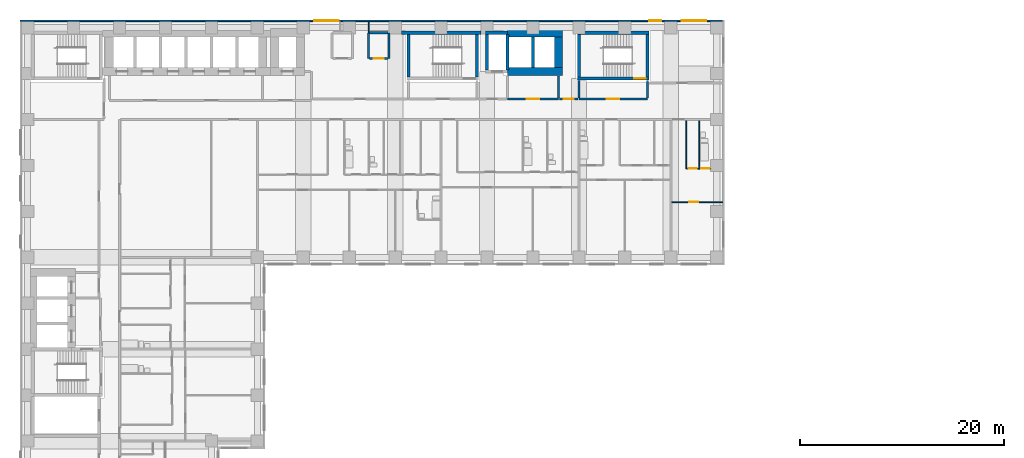
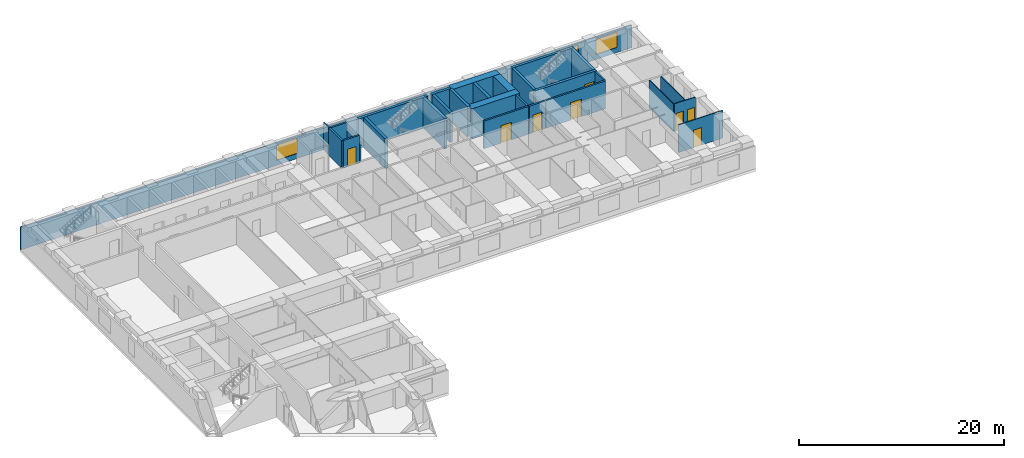
# One storey, part 8 of 12: 30 walls, 8 doors, 3 windows, 11 openings.
"""IFC4 building model written with IfcOpenShell, lengths in metres."""

from ifc_helpers import new_model, si_unit, direction, frame, frame_2d, origin, place, context, subcontext, project, spatial, rectangle, extrude, material, layer, layer_set, type_object, element, fill, save


model = new_model("IFC4")

# Units and contexts
model_context = context("Model", 3, precision=1e-05, world=origin(), true_north=direction((0.0, 1.0)))
body_context = subcontext(model_context, "Body", "Model", "MODEL_VIEW")
ifc_project = project(units=[si_unit("LENGTHUNIT", "METRE"), si_unit("AREAUNIT", "SQUARE_METRE"), si_unit("VOLUMEUNIT", "CUBIC_METRE"), si_unit("PLANEANGLEUNIT", "RADIAN"), si_unit("MASSUNIT", "GRAM", prefix="KILO")], contexts=[model_context])

# Site, building, storey
site_placement = place(None, origin())
site = spatial("IfcSite", under=ifc_project, at=site_placement, CompositionType="ELEMENT")
building_placement = place(site_placement, origin())
building = spatial("IfcBuilding", under=site, at=building_placement, Name="Firuza Court", CompositionType="ELEMENT")
storey_placement = place(building_placement, frame((0.0, 0.0, 36.199951171875)))
storey = spatial("IfcBuildingStorey", under=building, at=storey_placement, Name="L07", CompositionType="ELEMENT", Elevation=36.199951171875)

# Walls
ifc_material_1 = material(Name="Moisture-resistant gypsum board partition")
ifc_layer_1 = layer(ifc_material_1, 0.10009765625)
ifc_layer_set_1 = layer_set([ifc_layer_1], Name="Moisture-resistant gypsum board partition")
wall_type_1 = type_object("IfcWallType", Name="Bathroom partition 100", PredefinedType="PLUMBINGWALL", material=ifc_layer_set_1)
wall_1_placement = place(storey_placement, frame((65.800048828125, 44.75, 0.0), z_axis=(0.0, 0.0, 1.0), x_axis=(0.0, 1.0, 0.0)))
element("IfcWall", 1, at=wall_1_placement, inside=storey, type_object=wall_type_1, Name="Bathroom partition 100 L07", PredefinedType="PLUMBINGWALL", context=body_context, shape_type="SweptSolid", body=[
    extrude(rectangle(XDim=4.64990234375, YDim=0.10009765625, at=frame_2d((2.324951171875, 0.0))), origin(), (0.0, 0.0, 1.0), 3.300048828125),
])
ifc_material_2 = material(Name="Concrete C60/75", Category="concrete")
ifc_layer_2 = layer(ifc_material_2, 0.300048828125)
ifc_layer_set_2 = layer_set([ifc_layer_2], Name="Concrete C60/75")
wall_type_2 = type_object("IfcWallType", Name="Core wall 300 C60/75", PredefinedType="SHEAR", material=ifc_layer_set_2)
wall_2_placement = place(storey_placement, frame((36.60009765625, 58.0, -0.300048828125), z_axis=(0.0, 0.0, 1.0), x_axis=(1.0, 0.0, 0.0)))
element("IfcWall", 2, at=wall_2_placement, inside=storey, type_object=wall_type_2, Name="Core wall stair L07", PredefinedType="SHEAR", context=body_context, shape_type="SweptSolid", body=[
    extrude(rectangle(XDim=7.7998046875, YDim=0.300048828125, at=frame_2d((3.89990234375, 0.0))), origin(), (0.0, 0.0, 1.0), 3.60009765625),
])
for number, where, z_axis, x_axis, name in (
    (3, (37.300048828125, 53.64990234375, -0.300048828125), (0.0, 0.0, 1.0), (0.0, 1.0, 0.0), "Core wall stair L07"),
    (4, (44.0, 53.64990234375, -0.300048828125), (0.0, 0.0, 1.0), (0.0, 1.0, 0.0), "Core wall stair L07"),
):
    element("IfcWall", number, at=place(storey_placement, frame(where, z_axis=z_axis, x_axis=x_axis)), inside=storey, type_object=wall_type_2, Name=name, PredefinedType="SHEAR", context=body_context, shape_type="SweptSolid", body=[
        extrude(rectangle(XDim=4.2001953125, YDim=0.300048828125, at=frame_2d((2.10009765625, 0.0))), origin(), (0.0, 0.0, 1.0), 3.60009765625),
    ])
wall_3_placement = place(storey_placement, frame((44.85009765625, 58.0, -0.300048828125), z_axis=(0.0, 0.0, 1.0), x_axis=(1.0, 0.0, 0.0)))
element("IfcWall", 5, at=wall_3_placement, inside=storey, type_object=wall_type_2, Name="Core wall riser L07", PredefinedType="SHEAR", context=body_context, shape_type="SweptSolid", body=[
    extrude(rectangle(XDim=2.14990234375, YDim=0.300048828125, at=frame_2d((1.074951171875, 0.0))), origin(), (0.0, 0.0, 1.0), 3.60009765625),
])
for number, where, z_axis, x_axis, name in (
    (6, (45.0, 54.35009765625, -0.300048828125), (0.0, 0.0, 1.0), (0.0, 1.0, 0.0), "Core wall riser L07"),
    (7, (47.0, 54.35009765625, -0.300048828125), (0.0, 0.0, 1.0), (0.0, 1.0, 0.0), "Core wall lift shaft L07"),
):
    element("IfcWall", number, at=place(storey_placement, frame(where, z_axis=z_axis, x_axis=x_axis)), inside=storey, type_object=wall_type_2, Name=name, PredefinedType="SHEAR", context=body_context, shape_type="SweptSolid", body=[
        extrude(rectangle(XDim=3.5, YDim=0.300048828125, at=frame_2d((1.75, 0.0))), origin(), (0.0, 0.0, 1.0), 3.60009765625),
    ])
wall_4_placement = place(storey_placement, frame((49.5, 54.60009765625, -0.300048828125), z_axis=(0.0, 0.0, 1.0), x_axis=(0.0, 1.0, 0.0)))
element("IfcWall", 8, at=wall_4_placement, inside=storey, type_object=wall_type_2, Name="Core wall lift shaft L07", PredefinedType="SHEAR", context=body_context, shape_type="SweptSolid", body=[
    extrude(rectangle(XDim=3.0, YDim=0.300048828125, at=frame_2d((1.5, 0.0))), origin(), (0.0, 0.0, 1.0), 3.60009765625),
])

# Wall, opening, door
wall_5_placement = place(storey_placement, frame((53.85009765625, 53.5, -0.300048828125), z_axis=(0.0, 0.0, 1.0), x_axis=(1.0, 0.0, 0.0)))
wall_5 = element("IfcWall", 9, at=wall_5_placement, inside=storey, type_object=wall_type_2, Name="Core wall stair L07", PredefinedType="SHEAR", context=body_context, shape_type="SweptSolid", body=[
    extrude(rectangle(XDim=7.0, YDim=0.300048828125, at=frame_2d((3.5, 0.0))), origin(), (0.0, 0.0, 1.0), 3.60009765625),
])
opening_1_placement = place(wall_5_placement, frame((5.580078125, 0.0, 0.300048828125)))
opening_1 = element("IfcOpeningElement", 10, at=opening_1_placement, cuts=wall_5, Name="Opening D07017", PredefinedType="OPENING", context=body_context, shape_type="SweptSolid", body=[
    extrude(rectangle(XDim=1.10009765625, YDim=2.10009765625, at=frame_2d((0.550048828125, 1.050048828125))), frame((0.0, 0.162109375, 0.0), z_axis=(0.0, -1.0, 0.0), x_axis=(1.0, 0.0, 0.0)), (0.0, 0.0, 1.0), 0.323974609375),
])
ifc_material_3 = material(Name="Timber door leaf in hardwood frame", Category="wood")
door_type_1 = type_object("IfcDoorType", Name="Stair door 1100", OperationType="SINGLE_SWING_LEFT", PredefinedType="DOOR", material=ifc_material_3)
door_1_placement = place(opening_1_placement, origin())
door_1 = element("IfcDoor", 11, at=door_1_placement, inside=storey, type_object=door_type_1, Name="Stair door S4", OperationType="SINGLE_SWING_RIGHT", OverallHeight=2.10009765625, OverallWidth=1.10009765625, PredefinedType="DOOR", context=body_context, shape_type="SweptSolid", body=[
    extrude(rectangle(XDim=1.10009765625, YDim=2.10009765625, at=frame_2d((0.550048828125, 1.050048828125))), frame((0.0, 0.02490234375, 0.0), z_axis=(0.0, -1.0, 0.0), x_axis=(1.0, 0.0, 0.0)), (0.0, 0.0, 1.0), 0.050048828125),
])
fill(opening_1, door_1)

# Walls
wall_6_placement = place(storey_placement, frame((53.85009765625, 58.0, -0.300048828125), z_axis=(0.0, 0.0, 1.0), x_axis=(1.0, 0.0, 0.0)))
element("IfcWall", 12, at=wall_6_placement, inside=storey, type_object=wall_type_2, Name="Core wall stair L07", PredefinedType="SHEAR", context=body_context, shape_type="SweptSolid", body=[
    extrude(rectangle(XDim=7.0, YDim=0.300048828125, at=frame_2d((3.5, 0.0))), origin(), (0.0, 0.0, 1.0), 3.60009765625),
])
for number, where, z_axis, x_axis, name in (
    (13, (54.0, 53.64990234375, -0.300048828125), (0.0, 0.0, 1.0), (0.0, 1.0, 0.0), "Core wall stair L07"),
    (14, (60.699951171875, 53.64990234375, -0.300048828125), (0.0, 0.0, 1.0), (0.0, 1.0, 0.0), "Core wall stair L07"),
):
    element("IfcWall", number, at=place(storey_placement, frame(where, z_axis=z_axis, x_axis=x_axis)), inside=storey, type_object=wall_type_2, Name=name, PredefinedType="SHEAR", context=body_context, shape_type="SweptSolid", body=[
        extrude(rectangle(XDim=4.2001953125, YDim=0.300048828125, at=frame_2d((2.10009765625, 0.0))), origin(), (0.0, 0.0, 1.0), 3.60009765625),
    ])
ifc_layer_3 = layer(ifc_material_2, 0.800048828125)
ifc_layer_set_3 = layer_set([ifc_layer_3], Name="Concrete C60/75")
wall_type_3 = type_object("IfcWallType", Name="Core wall 800 C60/75", PredefinedType="SHEAR", material=ifc_layer_set_3)
for number, where, z_axis, x_axis, name in (
    (15, (47.0, 54.199951171875, -0.300048828125), (0.0, 0.0, 1.0), (1.0, 0.0, 0.0), "Core wall lift shaft L07"),
    (16, (47.0, 58.0, -0.300048828125), (0.0, 0.0, 1.0), (1.0, 0.0, 0.0), "Core wall lift shaft L07"),
):
    element("IfcWall", number, at=place(storey_placement, frame(where, z_axis=z_axis, x_axis=x_axis)), inside=storey, type_object=wall_type_3, Name=name, PredefinedType="SHEAR", context=body_context, shape_type="SweptSolid", body=[
        extrude(rectangle(XDim=5.39990234375, YDim=0.800048828125, at=frame_2d((2.699951171875, 0.0))), origin(), (0.0, 0.0, 1.0), 3.60009765625),
    ])
wall_7_placement = place(storey_placement, frame((52.0, 54.60009765625, -0.300048828125), z_axis=(0.0, 0.0, 1.0), x_axis=(0.0, 1.0, 0.0)))
element("IfcWall", 17, at=wall_7_placement, inside=storey, type_object=wall_type_3, Name="Core wall lift shaft L07", PredefinedType="SHEAR", context=body_context, shape_type="SweptSolid", body=[
    extrude(rectangle(XDim=3.0, YDim=0.800048828125, at=frame_2d((1.5, 0.0))), origin(), (0.0, 0.0, 1.0), 3.60009765625),
])

# Wall, opening, door
ifc_material_4 = material(Name="Blockwork, plastered both sides", Category="masonry")
ifc_layer_4 = layer(ifc_material_4, 0.199951171875)
ifc_layer_set_4 = layer_set([ifc_layer_4], Name="Blockwork, plastered both sides")
wall_type_4 = type_object("IfcWallType", Name="Corridor wall 200", PredefinedType="PARTITIONING", material=ifc_layer_set_4)
wall_8_placement = place(storey_placement, frame((52.10009765625, 51.5, 0.0), z_axis=(0.0, 0.0, 1.0), x_axis=(1.0, 0.0, 0.0)))
wall_8 = element("IfcWall", 18, at=wall_8_placement, inside=storey, type_object=wall_type_4, Name="Corridor wall 200 L07", PredefinedType="PARTITIONING", context=body_context, shape_type="SweptSolid", body=[
    extrude(rectangle(XDim=1.7998046875, YDim=0.199951171875, at=frame_2d((0.89990234375, 0.0))), origin(), (0.0, 0.0, 1.0), 3.300048828125),
])
opening_2_placement = place(wall_8_placement, frame((0.39990234375, 0.0, 0.0)))
opening_2 = element("IfcOpeningElement", 19, at=opening_2_placement, cuts=wall_8, Name="Opening D07073", PredefinedType="OPENING", context=body_context, shape_type="SweptSolid", body=[
    extrude(rectangle(XDim=1.0, YDim=2.10009765625, at=frame_2d((0.5, 1.050048828125))), frame((0.0, 0.11181640625, 0.0), z_axis=(0.0, -1.0, 0.0), x_axis=(1.0, 0.0, 0.0)), (0.0, 0.0, 1.0), 0.223876953125),
])
ifc_material_5 = material(Name="Timber door leaf in hardwood frame", Category="wood")
door_type_2 = type_object("IfcDoorType", Name="Store door 1000", OperationType="SINGLE_SWING_LEFT", PredefinedType="DOOR", material=ifc_material_5)
door_2_placement = place(opening_2_placement, origin())
door_2 = element("IfcDoor", 20, at=door_2_placement, inside=storey, type_object=door_type_2, Name="Parcel room door", OperationType="SINGLE_SWING_LEFT", OverallHeight=2.10009765625, OverallWidth=1.0, PredefinedType="DOOR", context=body_context, shape_type="SweptSolid", body=[
    extrude(rectangle(XDim=1.0, YDim=2.10009765625, at=frame_2d((0.5, 1.050048828125))), frame((0.0, 0.02490234375, 0.0), z_axis=(0.0, -1.0, 0.0), x_axis=(1.0, 0.0, 0.0)), (0.0, 0.0, 1.0), 0.050048828125),
])
fill(opening_2, door_2)

ifc_material_6 = material(Name="Timber stud partition, plasterboard both sides", Category="wood")
ifc_layer_5 = layer(ifc_material_6, 0.10009765625)
ifc_layer_set_5 = layer_set([ifc_layer_5], Name="Timber stud partition, plasterboard both sides")
wall_type_5 = type_object("IfcWallType", Name="Partition wall 100", PredefinedType="PARTITIONING", material=ifc_layer_set_5)
wall_9_placement = place(storey_placement, frame((63.10009765625, 41.39990234375, 0.0), z_axis=(0.0, 0.0, 1.0), x_axis=(1.0, 0.0, 0.0)))
wall_9 = element("IfcWall", 21, at=wall_9_placement, inside=storey, type_object=wall_type_5, Name="Partition wall 100 L07", PredefinedType="PARTITIONING", context=body_context, shape_type="SweptSolid", body=[
    extrude(rectangle(XDim=5.0, YDim=0.10009765625, at=frame_2d((2.5, 0.0))), origin(), (0.0, 0.0, 1.0), 3.300048828125),
])
opening_3_placement = place(wall_9_placement, frame((1.699951171875, 0.0, 0.0)))
opening_3 = element("IfcOpeningElement", 22, at=opening_3_placement, cuts=wall_9, Name="Opening D07043", PredefinedType="OPENING", context=body_context, shape_type="SweptSolid", body=[
    extrude(rectangle(XDim=0.89990234375, YDim=2.10009765625, at=frame_2d((0.449951171875, 1.050048828125))), frame((0.0, 0.06201171875, 0.0), z_axis=(0.0, -1.0, 0.0), x_axis=(1.0, 0.0, 0.0)), (0.0, 0.0, 1.0), 0.1240234375),
])
ifc_material_7 = material(Name="Timber door leaf in hardwood frame", Category="wood")
door_type_3 = type_object("IfcDoorType", Name="Room door 900", OperationType="SINGLE_SWING_LEFT", PredefinedType="DOOR", material=ifc_material_7)
door_3_placement = place(opening_3_placement, frame((0.89990234375, 0.0, 0.0), z_axis=(0.0, 0.0, 1.0), x_axis=(-1.0, 0.0, 0.0)))
door_3 = element("IfcDoor", 23, at=door_3_placement, inside=storey, type_object=door_type_3, Name="Studio room door", OperationType="SINGLE_SWING_RIGHT", OverallHeight=2.10009765625, OverallWidth=0.89990234375, PredefinedType="DOOR", context=body_context, shape_type="SweptSolid", body=[
    extrude(rectangle(XDim=0.89990234375, YDim=2.10009765625, at=frame_2d((0.449951171875, 1.050048828125))), frame((0.0, 0.02490234375, 0.0), z_axis=(0.0, -1.0, 0.0), x_axis=(1.0, 0.0, 0.0)), (0.0, 0.0, 1.0), 0.050048828125),
])
fill(opening_3, door_3)

# Wall
wall_10_placement = place(storey_placement, frame((64.5, 44.699951171875, 0.0), z_axis=(0.0, 0.0, 1.0), x_axis=(0.0, 1.0, 0.0)))
element("IfcWall", 24, at=wall_10_placement, inside=storey, type_object=wall_type_5, Name="Partition wall 100 L07", PredefinedType="PARTITIONING", context=body_context, shape_type="SweptSolid", body=[
    extrude(rectangle(XDim=4.699951171875, YDim=0.10009765625, at=frame_2d((2.35009765625, 0.0))), origin(), (0.0, 0.0, 1.0), 3.300048828125),
])

# Wall, openings, doors
wall_11_placement = place(storey_placement, frame((64.550048828125, 44.699951171875, 0.0), z_axis=(0.0, 0.0, 1.0), x_axis=(1.0, 0.0, 0.0)))
wall_11 = element("IfcWall", 25, at=wall_11_placement, inside=storey, type_object=wall_type_5, Name="Partition wall 100 L07", PredefinedType="PARTITIONING", context=body_context, shape_type="SweptSolid", body=[
    extrude(rectangle(XDim=2.349853515625, YDim=0.10009765625, at=frame_2d((1.1748046875, 0.0))), origin(), (0.0, 0.0, 1.0), 3.300048828125),
])
opening_4_placement = place(wall_11_placement, frame((1.449951171875, 0.0, 0.0)))
opening_4 = element("IfcOpeningElement", 26, at=opening_4_placement, cuts=wall_11, Name="Opening D07061", PredefinedType="OPENING", context=body_context, shape_type="SweptSolid", body=[
    extrude(rectangle(XDim=0.800048828125, YDim=2.10009765625, at=frame_2d((0.39990234375, 1.050048828125))), frame((0.0, 0.06201171875, 0.0), z_axis=(0.0, -1.0, 0.0), x_axis=(1.0, 0.0, 0.0)), (0.0, 0.0, 1.0), 0.1240234375),
])
opening_5_placement = place(wall_11_placement, frame((0.199951171875, 0.0, 0.0)))
opening_5 = element("IfcOpeningElement", 27, at=opening_5_placement, cuts=wall_11, Name="Opening D07062", PredefinedType="OPENING", context=body_context, shape_type="SweptSolid", body=[
    extrude(rectangle(XDim=0.800048828125, YDim=2.10009765625, at=frame_2d((0.39990234375, 1.050048828125))), frame((0.0, 0.06201171875, 0.0), z_axis=(0.0, -1.0, 0.0), x_axis=(1.0, 0.0, 0.0)), (0.0, 0.0, 1.0), 0.1240234375),
])
ifc_material_8 = material(Name="Timber door leaf in hardwood frame", Category="wood")
door_type_4 = type_object("IfcDoorType", Name="Bathroom door 800", OperationType="SINGLE_SWING_LEFT", PredefinedType="DOOR", material=ifc_material_8)
door_4_placement = place(opening_4_placement, origin())
door_4 = element("IfcDoor", 28, at=door_4_placement, inside=storey, type_object=door_type_4, Name="Bathroom door", OperationType="SINGLE_SWING_RIGHT", OverallHeight=2.10009765625, OverallWidth=0.800048828125, PredefinedType="DOOR", context=body_context, shape_type="SweptSolid", body=[
    extrude(rectangle(XDim=0.800048828125, YDim=2.10009765625, at=frame_2d((0.39990234375, 1.050048828125))), frame((0.0, 0.02490234375, 0.0), z_axis=(0.0, -1.0, 0.0), x_axis=(1.0, 0.0, 0.0)), (0.0, 0.0, 1.0), 0.050048828125),
])
fill(opening_4, door_4)
ifc_material_9 = material(Name="Timber door leaf in hardwood frame", Category="wood")
door_type_5 = type_object("IfcDoorType", Name="Room door 800", OperationType="SINGLE_SWING_LEFT", PredefinedType="DOOR", material=ifc_material_9)
door_5_placement = place(opening_5_placement, origin())
door_5 = element("IfcDoor", 29, at=door_5_placement, inside=storey, type_object=door_type_5, Name="Kitchen door", OperationType="SINGLE_SWING_LEFT", OverallHeight=2.10009765625, OverallWidth=0.800048828125, PredefinedType="DOOR", context=body_context, shape_type="SweptSolid", body=[
    extrude(rectangle(XDim=0.800048828125, YDim=2.10009765625, at=frame_2d((0.39990234375, 1.050048828125))), frame((0.0, 0.02490234375, 0.0), z_axis=(0.0, -1.0, 0.0), x_axis=(1.0, 0.0, 0.0)), (0.0, 0.0, 1.0), 0.050048828125),
])
fill(opening_5, door_5)

# Walls
wall_12_placement = place(storey_placement, frame((33.39990234375, 58.0, 0.0), z_axis=(0.0, 0.0, 1.0), x_axis=(0.0, 1.0, 0.0)))
element("IfcWall", 30, at=wall_12_placement, inside=storey, type_object=wall_type_5, Name="Partition wall 100 L07", PredefinedType="PARTITIONING", context=body_context, shape_type="SweptSolid", body=[
    extrude(rectangle(XDim=1.10009765625, YDim=0.10009765625, at=frame_2d((0.550048828125, 0.0))), origin(), (0.0, 0.0, 1.0), 3.300048828125),
])
ifc_material_10 = material(Name="Blockwork, fire-rated", Category="masonry")
ifc_layer_6 = layer(ifc_material_10, 0.199951171875)
ifc_layer_set_6 = layer_set([ifc_layer_6], Name="Blockwork, fire-rated")
wall_type_6 = type_object("IfcWallType", Name="Plant room wall 200", PredefinedType="PARTITIONING", material=ifc_layer_set_6)
wall_13_placement = place(storey_placement, frame((33.39990234375, 55.5, 0.0), z_axis=(0.0, 0.0, 1.0), x_axis=(0.0, 1.0, 0.0)))
element("IfcWall", 31, at=wall_13_placement, inside=storey, type_object=wall_type_6, Name="Plant room wall 200 L07", PredefinedType="PARTITIONING", context=body_context, shape_type="SweptSolid", body=[
    extrude(rectangle(XDim=2.5, YDim=0.199951171875, at=frame_2d((1.25, 0.0))), origin(), (0.0, 0.0, 1.0), 3.300048828125),
])

# Wall, opening, door
wall_14_placement = place(storey_placement, frame((33.5, 55.5, 0.0), z_axis=(0.0, 0.0, 1.0), x_axis=(1.0, 0.0, 0.0)))
wall_14 = element("IfcWall", 32, at=wall_14_placement, inside=storey, type_object=wall_type_6, Name="Plant room wall 200 L07", PredefinedType="PARTITIONING", context=body_context, shape_type="SweptSolid", body=[
    extrude(rectangle(XDim=1.800048828125, YDim=0.199951171875, at=frame_2d((0.89990234375, 0.0))), origin(), (0.0, 0.0, 1.0), 3.300048828125),
])
opening_6_placement = place(wall_14_placement, frame((0.39990234375, 0.0, 0.0)))
opening_6 = element("IfcOpeningElement", 33, at=opening_6_placement, cuts=wall_14, Name="Opening D07076", PredefinedType="OPENING", context=body_context, shape_type="SweptSolid", body=[
    extrude(rectangle(XDim=1.0, YDim=2.10009765625, at=frame_2d((0.5, 1.050048828125))), frame((0.0, 0.11181640625, 0.0), z_axis=(0.0, -1.0, 0.0), x_axis=(1.0, 0.0, 0.0)), (0.0, 0.0, 1.0), 0.223876953125),
])
ifc_material_11 = material(Name="Timber door leaf in hardwood frame", Category="wood")
door_type_6 = type_object("IfcDoorType", Name="Riser door 1000", OperationType="SINGLE_SWING_LEFT", PredefinedType="DOOR", material=ifc_material_11)
door_6_placement = place(opening_6_placement, origin())
door_6 = element("IfcDoor", 34, at=door_6_placement, inside=storey, type_object=door_type_6, Name="Duct riser door", OperationType="SINGLE_SWING_LEFT", OverallHeight=2.10009765625, OverallWidth=1.0, PredefinedType="DOOR", context=body_context, shape_type="SweptSolid", body=[
    extrude(rectangle(XDim=1.0, YDim=2.10009765625, at=frame_2d((0.5, 1.050048828125))), frame((0.0, 0.02490234375, 0.0), z_axis=(0.0, -1.0, 0.0), x_axis=(1.0, 0.0, 0.0)), (0.0, 0.0, 1.0), 0.050048828125),
])
fill(opening_6, door_6)

# Walls
wall_15_placement = place(storey_placement, frame((35.39990234375, 55.5, 0.0), z_axis=(0.0, 0.0, 1.0), x_axis=(0.0, 1.0, 0.0)))
element("IfcWall", 35, at=wall_15_placement, inside=storey, type_object=wall_type_6, Name="Plant room wall 200 L07", PredefinedType="PARTITIONING", context=body_context, shape_type="SweptSolid", body=[
    extrude(rectangle(XDim=2.5, YDim=0.199951171875, at=frame_2d((1.25, 0.0))), origin(), (0.0, 0.0, 1.0), 2.400146484375),
])
wall_16_placement = place(storey_placement, frame((33.5, 58.0, 0.0), z_axis=(0.0, 0.0, 1.0), x_axis=(1.0, 0.0, 0.0)))
element("IfcWall", 36, at=wall_16_placement, inside=storey, type_object=wall_type_6, Name="Plant room wall 200 L07", PredefinedType="PARTITIONING", context=body_context, shape_type="SweptSolid", body=[
    extrude(rectangle(XDim=1.800048828125, YDim=0.199951171875, at=frame_2d((0.89990234375, 0.0))), origin(), (0.0, 0.0, 1.0), 3.300048828125),
])

# Wall, openings, windows
ifc_material_12 = material(Name="Ceramic tile", Category="ceramic")
ifc_layer_7 = layer(ifc_material_12, 0.02001953125)
ifc_material_13 = material(Name="Mineral wool insulation", Category="insulation")
ifc_layer_8 = layer(ifc_material_13, 0.050048828125)
ifc_material_14 = material(Name="Concrete C40/50 precast", Category="concrete")
ifc_layer_9 = layer(ifc_material_14, 0.080078125)
ifc_layer_set_7 = layer_set([ifc_layer_7, ifc_layer_8, ifc_layer_9], Name="Concrete C40/50 precast")
wall_type_7 = type_object("IfcWallType", Name="Precast cladding wall with turquoise TILE PANEL face 150", PredefinedType="STANDARD", material=ifc_layer_set_7)
wall_17_placement = place(storey_placement, frame((68.10009765625, 59.175048828125, 0.0), z_axis=(0.0, 0.0, 1.0), x_axis=(-1.0, 0.0, 0.0)))
wall_17 = element("IfcWall", 37, at=wall_17_placement, inside=storey, type_object=wall_type_7, Name="Facade wall L07 N", PredefinedType="STANDARD", context=body_context, shape_type="SweptSolid", body=[
    extrude(rectangle(XDim=68.85009765625, YDim=0.14990234375, at=frame_2d((34.425048828125, 0.0))), origin(), (0.0, 0.0, 1.0), 2.699951171875),
])
opening_7_placement = place(wall_17_placement, frame((1.64990234375, 0.0, 0.60009765625)))
opening_7 = element("IfcOpeningElement", 38, at=opening_7_placement, cuts=wall_17, Name="Opening W1", PredefinedType="OPENING", context=body_context, shape_type="SweptSolid", body=[
    extrude(rectangle(XDim=2.39990234375, YDim=1.800048828125, at=frame_2d((1.199951171875, 0.89990234375))), frame((0.0, 0.0869140625, 0.0), z_axis=(0.0, -1.0, 0.0), x_axis=(1.0, 0.0, 0.0)), (0.0, 0.0, 1.0), 0.173828125),
])
opening_8_placement = place(wall_17_placement, frame((6.023193359375, 0.0, 0.60009765625)))
opening_8 = element("IfcOpeningElement", 39, at=opening_8_placement, cuts=wall_17, Name="Opening W8", PredefinedType="OPENING", context=body_context, shape_type="SweptSolid", body=[
    extrude(rectangle(XDim=1.199951171875, YDim=1.800048828125, at=frame_2d((0.60009765625, 0.89990234375))), frame((0.0, 0.0869140625, 0.0), z_axis=(0.0, -1.0, 0.0), x_axis=(1.0, 0.0, 0.0)), (0.0, 0.0, 1.0), 0.173828125),
])
opening_9_placement = place(wall_17_placement, frame((37.64990234375, 0.0, 0.60009765625)))
opening_9 = element("IfcOpeningElement", 40, at=opening_9_placement, cuts=wall_17, Name="Opening W1", PredefinedType="OPENING", context=body_context, shape_type="SweptSolid", body=[
    extrude(rectangle(XDim=2.39990234375, YDim=1.800048828125, at=frame_2d((1.199951171875, 0.89990234375))), frame((0.0, 0.0869140625, 0.0), z_axis=(0.0, -1.0, 0.0), x_axis=(1.0, 0.0, 0.0)), (0.0, 0.0, 1.0), 0.173828125),
])
ifc_material_15 = material(Name="Aluminium frame, triple clear glazing", Category="aluminium")
window_type_1 = type_object("IfcWindowType", Name="Window W1 2400 x 1800", PartitioningType="SINGLE_PANEL", PredefinedType="WINDOW", material=ifc_material_15)
window_1_placement = place(opening_7_placement, origin())
window_1 = element("IfcWindow", 41, at=window_1_placement, inside=storey, type_object=window_type_1, Name="Window L07", OverallHeight=1.800048828125, OverallWidth=2.39990234375, PartitioningType="SINGLE_PANEL", PredefinedType="WINDOW", context=body_context, shape_type="SweptSolid", body=[
    extrude(rectangle(XDim=2.39990234375, YDim=1.800048828125, at=frame_2d((1.199951171875, 0.89990234375))), frame((0.0, 0.030029296875, 0.0), z_axis=(0.0, -1.0, 0.0), x_axis=(1.0, 0.0, 0.0)), (0.0, 0.0, 1.0), 0.06005859375),
])
fill(opening_7, window_1)
window_2_placement = place(opening_9_placement, origin())
window_2 = element("IfcWindow", 42, at=window_2_placement, inside=storey, type_object=window_type_1, Name="Window L07", OverallHeight=1.800048828125, OverallWidth=2.39990234375, PartitioningType="SINGLE_PANEL", PredefinedType="WINDOW", context=body_context, shape_type="SweptSolid", body=[
    extrude(rectangle(XDim=2.39990234375, YDim=1.800048828125, at=frame_2d((1.199951171875, 0.89990234375))), frame((0.0, 0.030029296875, 0.0), z_axis=(0.0, -1.0, 0.0), x_axis=(1.0, 0.0, 0.0)), (0.0, 0.0, 1.0), 0.06005859375),
])
fill(opening_9, window_2)
ifc_material_16 = material(Name="Aluminium frame, triple clear glazing", Category="aluminium")
window_type_2 = type_object("IfcWindowType", Name="Window W8 1200 x 1800", PartitioningType="SINGLE_PANEL", PredefinedType="WINDOW", material=ifc_material_16)
window_3_placement = place(opening_8_placement, origin())
window_3 = element("IfcWindow", 43, at=window_3_placement, inside=storey, type_object=window_type_2, Name="Window L07", OverallHeight=1.800048828125, OverallWidth=1.199951171875, PartitioningType="SINGLE_PANEL", PredefinedType="WINDOW", context=body_context, shape_type="SweptSolid", body=[
    extrude(rectangle(XDim=1.199951171875, YDim=1.800048828125, at=frame_2d((0.60009765625, 0.89990234375))), frame((0.0, 0.030029296875, 0.0), z_axis=(0.0, -1.0, 0.0), x_axis=(1.0, 0.0, 0.0)), (0.0, 0.0, 1.0), 0.06005859375),
])
fill(opening_8, window_3)

# Wall, opening, door
ifc_layer_10 = layer(ifc_material_10, 0.199951171875)
ifc_layer_set_8 = layer_set([ifc_layer_10], Name="Blockwork, fire-rated")
wall_type_8 = type_object("IfcWallType", Name="Shaft wall 200", PredefinedType="PARTITIONING", material=ifc_layer_set_8)
wall_18_placement = place(storey_placement, frame((47.0, 51.5, 0.0), z_axis=(0.0, 0.0, 1.0), x_axis=(1.0, 0.0, 0.0)))
wall_18 = element("IfcWall", 44, at=wall_18_placement, inside=storey, type_object=wall_type_8, Name="Shaft wall 200 L07", PredefinedType="PARTITIONING", context=body_context, shape_type="SweptSolid", body=[
    extrude(rectangle(XDim=5.0, YDim=0.199951171875, at=frame_2d((2.5, 0.0))), origin(), (0.0, 0.0, 1.0), 3.300048828125),
])
opening_10_placement = place(wall_18_placement, frame((1.89990234375, 0.0, 0.0)))
opening_10 = element("IfcOpeningElement", 45, at=opening_10_placement, cuts=wall_18, Name="Opening D07009", PredefinedType="OPENING", context=body_context, shape_type="SweptSolid", body=[
    extrude(rectangle(XDim=1.199951171875, YDim=2.10009765625, at=frame_2d((0.60009765625, 1.050048828125))), frame((0.0, 0.11181640625, 0.0), z_axis=(0.0, -1.0, 0.0), x_axis=(1.0, 0.0, 0.0)), (0.0, 0.0, 1.0), 0.223876953125),
])
ifc_material_17 = material(Name="Timber door leaf in hardwood frame", Category="wood")
door_type_7 = type_object("IfcDoorType", Name="Lobby door 1200", OperationType="SINGLE_SWING_LEFT", PredefinedType="DOOR", material=ifc_material_17)
door_7_placement = place(opening_10_placement, origin())
door_7 = element("IfcDoor", 46, at=door_7_placement, inside=storey, type_object=door_type_7, Name="Lobby door", OperationType="SINGLE_SWING_LEFT", OverallHeight=2.10009765625, OverallWidth=1.199951171875, PredefinedType="DOOR", context=body_context, shape_type="SweptSolid", body=[
    extrude(rectangle(XDim=1.199951171875, YDim=2.10009765625, at=frame_2d((0.60009765625, 1.050048828125))), frame((0.0, 0.02490234375, 0.0), z_axis=(0.0, -1.0, 0.0), x_axis=(1.0, 0.0, 0.0)), (0.0, 0.0, 1.0), 0.050048828125),
])
fill(opening_10, door_7)

# Wall
wall_19_placement = place(storey_placement, frame((52.0, 51.60009765625, 0.0), z_axis=(0.0, 0.0, 1.0), x_axis=(0.0, 1.0, 0.0)))
element("IfcWall", 47, at=wall_19_placement, inside=storey, type_object=wall_type_8, Name="Shaft wall 200 L07", PredefinedType="PARTITIONING", context=body_context, shape_type="SweptSolid", body=[
    extrude(rectangle(XDim=2.179931640625, YDim=0.199951171875, at=frame_2d((1.08984375, 0.0))), origin(), (0.0, 0.0, 1.0), 3.300048828125),
])

# Wall, opening, door
wall_20_placement = place(storey_placement, frame((54.0, 51.5, 0.0), z_axis=(0.0, 0.0, 1.0), x_axis=(1.0, 0.0, 0.0)))
wall_20 = element("IfcWall", 48, at=wall_20_placement, inside=storey, type_object=wall_type_8, Name="Shaft wall 200 L07", PredefinedType="PARTITIONING", context=body_context, shape_type="SweptSolid", body=[
    extrude(rectangle(XDim=6.699951171875, YDim=0.199951171875, at=frame_2d((3.35009765625, 0.0))), origin(), (0.0, 0.0, 1.0), 3.300048828125),
])
opening_11_placement = place(wall_20_placement, frame((2.75, 0.0, 0.0)))
opening_11 = element("IfcOpeningElement", 49, at=opening_11_placement, cuts=wall_20, Name="Opening D07007", PredefinedType="OPENING", context=body_context, shape_type="SweptSolid", body=[
    extrude(rectangle(XDim=1.199951171875, YDim=2.10009765625, at=frame_2d((0.60009765625, 1.050048828125))), frame((0.0, 0.11181640625, 0.0), z_axis=(0.0, -1.0, 0.0), x_axis=(1.0, 0.0, 0.0)), (0.0, 0.0, 1.0), 0.223876953125),
])
door_8_placement = place(opening_11_placement, origin())
door_8 = element("IfcDoor", 50, at=door_8_placement, inside=storey, type_object=door_type_7, Name="Lobby door", OperationType="SINGLE_SWING_LEFT", OverallHeight=2.10009765625, OverallWidth=1.199951171875, PredefinedType="DOOR", context=body_context, shape_type="SweptSolid", body=[
    extrude(rectangle(XDim=1.199951171875, YDim=2.10009765625, at=frame_2d((0.60009765625, 1.050048828125))), frame((0.0, 0.02490234375, 0.0), z_axis=(0.0, -1.0, 0.0), x_axis=(1.0, 0.0, 0.0)), (0.0, 0.0, 1.0), 0.050048828125),
])
fill(opening_11, door_8)

# Walls
wall_21_placement = place(storey_placement, frame((60.699951171875, 51.60009765625, 0.0), z_axis=(0.0, 0.0, 1.0), x_axis=(0.0, 1.0, 0.0)))
element("IfcWall", 51, at=wall_21_placement, inside=storey, type_object=wall_type_8, Name="Shaft wall 200 L07", PredefinedType="PARTITIONING", context=body_context, shape_type="SweptSolid", body=[
    extrude(rectangle(XDim=1.72998046875, YDim=0.199951171875, at=frame_2d((0.864990234375, 0.0))), origin(), (0.0, 0.0, 1.0), 3.300048828125),
])
wall_22_placement = place(storey_placement, frame((54.0, 51.60009765625, 0.0), z_axis=(0.0, 0.0, 1.0), x_axis=(0.0, 1.0, 0.0)))
element("IfcWall", 52, at=wall_22_placement, inside=storey, type_object=wall_type_8, Name="Shaft wall 200 L07", PredefinedType="PARTITIONING", context=body_context, shape_type="SweptSolid", body=[
    extrude(rectangle(XDim=1.72998046875, YDim=0.199951171875, at=frame_2d((0.864990234375, 0.0))), origin(), (0.0, 0.0, 1.0), 2.60009765625),
])

save(model, "model.ifc")
